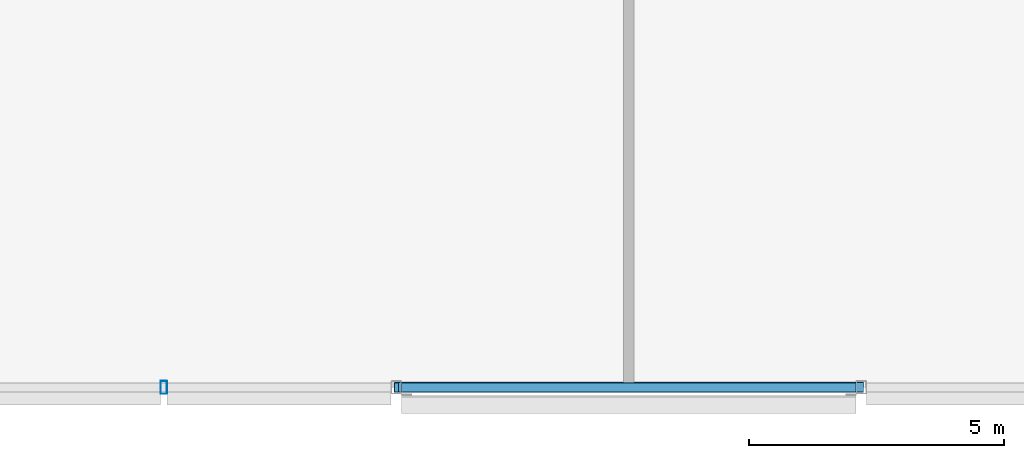
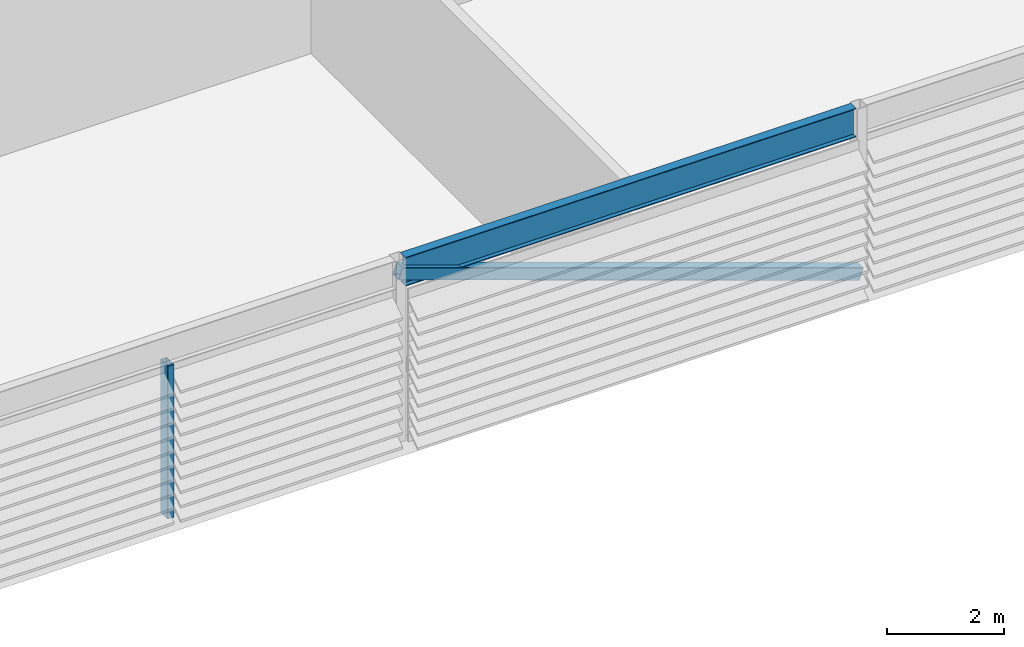
# One storey, part 6 of 28: 2 members, 1 beam.
"""IFC4 building model written with IfcOpenShell, lengths in metres."""

from ifc_helpers import new_model, si_unit, direction, frame, origin, origin_2d, place, context, subcontext, project, spatial, hollow_rectangle, i_section, extrude, material, material_profile, profile_set, type_object, element, save


model = new_model("IFC4")

# Units and contexts
model_context = context("Model", 3, precision=1e-05, world=origin(), true_north=direction((0.0, 1.0)))
body_context = subcontext(model_context, "Body", "Model", "MODEL_VIEW")
ifc_project = project(units=[si_unit("LENGTHUNIT", "METRE"), si_unit("AREAUNIT", "SQUARE_METRE"), si_unit("VOLUMEUNIT", "CUBIC_METRE"), si_unit("PLANEANGLEUNIT", "RADIAN"), si_unit("MASSUNIT", "GRAM", prefix="KILO")], contexts=[model_context])

# Site, building, storey
site_placement = place(None, origin())
site = spatial("IfcSite", under=ifc_project, at=site_placement, CompositionType="ELEMENT")
building_placement = place(site_placement, origin())
building = spatial("IfcBuilding", under=site, at=building_placement, Name="Madar Terraces", CompositionType="ELEMENT")
storey_placement = place(building_placement, frame((0.0, 0.0, 310.10009765625)))
storey = spatial("IfcBuildingStorey", under=building, at=storey_placement, Name="L80", CompositionType="ELEMENT", Elevation=310.10009765625)

# Beam
ifc_material_1 = material(Name="Steel ASTM A992 Grade 50", Category="steel")
ifc_material_profile_1 = material_profile(ifc_material_1, i_section(OverallWidth=0.1787109375, OverallDepth=0.60205078125, WebThickness=0.010986328125, FlangeThickness=0.014892578125, at=origin_2d()), Name="W24x62")
ifc_profile_set_1 = profile_set([ifc_material_profile_1], Name="Steel ASTM A992 Grade 50")
beam_type = type_object("IfcBeamType", Name="CF2 W24x62", PredefinedType="BEAM", material=ifc_profile_set_1)
beam_placement = place(storey_placement, frame((24.341552734375, 1.199951171875, 3.4990234375), z_axis=(1.0, 0.0, 0.0), x_axis=(0.0, 1.0, 0.0)))
element("IfcBeam", 1, at=beam_placement, inside=storey, type_object=beam_type, Name="Crown frame ring beam CF2", PredefinedType="BEAM", context=body_context, shape_type="SweptSolid", body=[
    extrude(i_section(OverallWidth=0.1787109375, OverallDepth=0.60205078125, WebThickness=0.010986328125, FlangeThickness=0.014892578125, at=origin_2d()), origin(), (0.0, 0.0, 1.0), 8.916748046875),
])

# Members
ifc_material_2 = material(Name="Steel ASTM A500 Grade C", Category="steel")
ifc_material_profile_2 = material_profile(ifc_material_2, hollow_rectangle(XDim=0.203125, YDim=0.25390625, WallThickness=0.009521484375, InnerFilletRadius=0.00439453125, OuterFilletRadius=0.01318359375, at=origin_2d()), Name="HSS10x8x.375")
ifc_profile_set_2 = profile_set([ifc_material_profile_2], Name="Steel ASTM A500 Grade C")
member_type_1 = type_object("IfcMemberType", Name="CF5 crown frame brace HSS10x8x.375", PredefinedType="BRACE", material=ifc_profile_set_2)
member_1_placement = place(storey_placement, frame((24.239990234375, 1.199951171875, 3.4990234375), z_axis=(0.943626561673, 0.0, -0.331011951605), x_axis=(0.0, 1.0, 0.0)))
element("IfcMember", 2, at=member_1_placement, inside=storey, type_object=member_type_1, Name="Crown frame brace CF5", PredefinedType="BRACE", context=body_context, shape_type="SweptSolid", body=[
    extrude(hollow_rectangle(XDim=0.203125, YDim=0.25390625, WallThickness=0.009521484375, InnerFilletRadius=0.00439453125, OuterFilletRadius=0.01318359375, at=origin_2d()), origin(), (0.0, 0.0, 1.0), 9.6650390625),
])
ifc_material_3 = material(Name="Steel ASTM A500 Grade C", Category="steel")
ifc_material_profile_3 = material_profile(ifc_material_3, hollow_rectangle(XDim=0.126953125, YDim=0.25390625, WallThickness=0.00634765625, InnerFilletRadius=0.0029296875, OuterFilletRadius=0.0087890625, at=origin_2d()), Name="HSS10x5x.25")
ifc_profile_set_3 = profile_set([ifc_material_profile_3], Name="Steel ASTM A500 Grade C")
member_type_2 = type_object("IfcMemberType", Name="LS2 HSS10x5x.25", PredefinedType="POST", material=ifc_profile_set_3)
member_2_placement = place(storey_placement, frame((19.679931640625, 1.199951171875, 0.0), z_axis=(0.0, 0.0, 1.0), x_axis=(1.0, 0.0, 0.0)))
element("IfcMember", 3, at=member_2_placement, inside=storey, type_object=member_type_2, Name="Crown louvre post LS2", PredefinedType="POST", context=body_context, shape_type="SweptSolid", body=[
    extrude(hollow_rectangle(XDim=0.126953125, YDim=0.25390625, WallThickness=0.00634765625, InnerFilletRadius=0.0029296875, OuterFilletRadius=0.0087890625, at=origin_2d()), origin(), (0.0, 0.0, 1.0), 3.197998046875),
])

save(model, "model.ifc")
